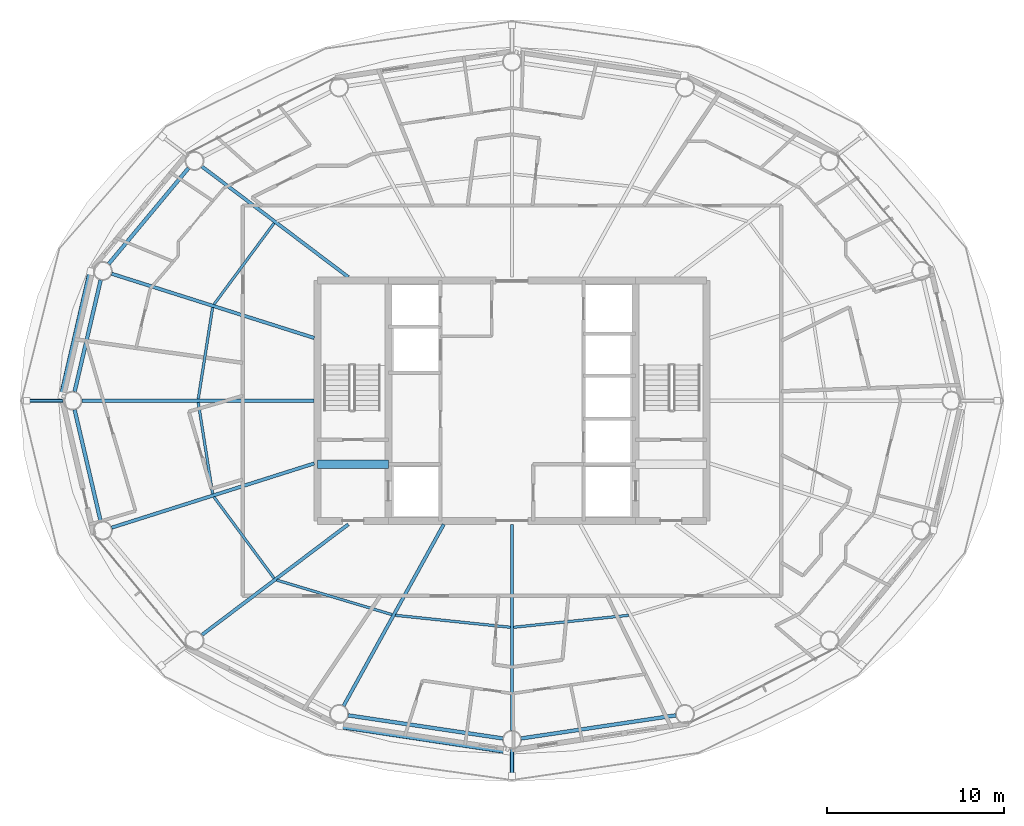
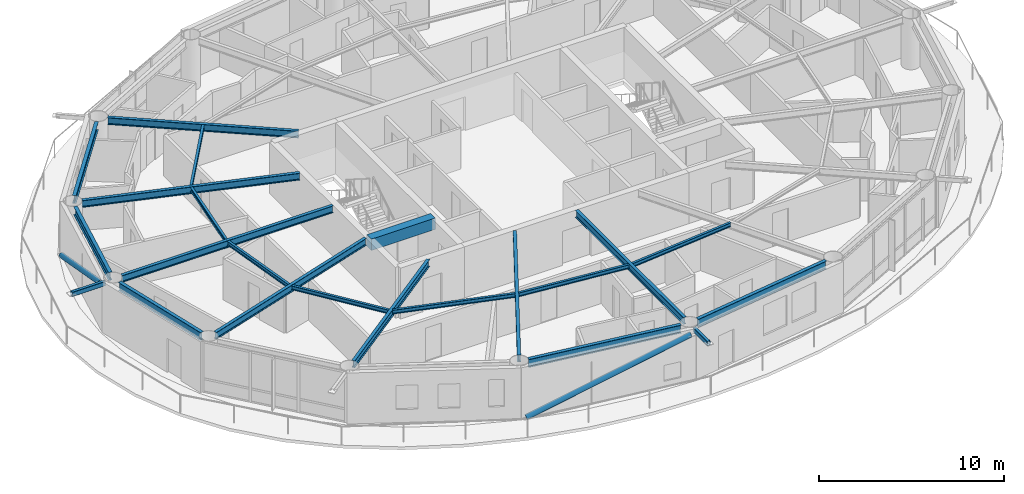
# One storey, part 4 of 23: 20 beams, 4 members.
"""IFC4 building model written with IfcOpenShell, lengths in metres."""

from ifc_helpers import new_model, si_unit, direction, frame, origin, origin_2d, place, context, subcontext, project, spatial, rectangle, hollow_rectangle, hollow_circle, i_section, extrude, material, material_profile, profile_set, type_object, element, save


model = new_model("IFC4")

# Units and contexts
model_context = context("Model", 3, precision=1e-05, world=origin(), true_north=direction((0.0, 1.0)))
body_context = subcontext(model_context, "Body", "Model", "MODEL_VIEW")
ifc_project = project(units=[si_unit("LENGTHUNIT", "METRE"), si_unit("AREAUNIT", "SQUARE_METRE"), si_unit("VOLUMEUNIT", "CUBIC_METRE"), si_unit("PLANEANGLEUNIT", "RADIAN"), si_unit("MASSUNIT", "GRAM", prefix="KILO")], contexts=[model_context])

# Site, building, storey
site_placement = place(None, origin())
site = spatial("IfcSite", under=ifc_project, at=site_placement, CompositionType="ELEMENT")
building_placement = place(site_placement, origin())
building = spatial("IfcBuilding", under=site, at=building_placement, Name="Sarneth Arch Tower", CompositionType="ELEMENT")
storey_placement = place(building_placement, frame((0.0, 0.0, 235.199951171875)))
storey = spatial("IfcBuildingStorey", under=building, at=storey_placement, Name="L60", CompositionType="ELEMENT", Elevation=235.199951171875)

# Beams
ifc_material_1 = material(Name="Steel S355", Category="steel")
ifc_material_profile_1 = material_profile(ifc_material_1, i_section(OverallWidth=0.14794921875, OverallDepth=0.26611328125, WebThickness=0.007568359375, FlangeThickness=0.012939453125, FilletRadius=0.012939453125, at=origin_2d()), Name="W250x44.8")
ifc_profile_set_1 = profile_set([ifc_material_profile_1], Name="Steel S355")
beam_type_1 = type_object("IfcBeamType", Name="BM-JOIST-250", PredefinedType="JOIST", material=ifc_profile_set_1)
beam_1_placement = place(storey_placement, frame((34.53076171875, 52.052734375, 3.22705078125), z_axis=(-0.594853468946, -0.803834156081, 0.0), x_axis=(0.803834156081, -0.594853468946, 0.0)))
element("IfcBeam", 1, at=beam_1_placement, inside=storey, type_object=beam_type_1, Name="L60 Secondary floor joist 07", PredefinedType="JOIST", context=body_context, shape_type="SweptSolid", body=[
    extrude(i_section(OverallWidth=0.14794921875, OverallDepth=0.26611328125, WebThickness=0.007568359375, FlangeThickness=0.012939453125, FilletRadius=0.012939453125, at=origin_2d()), origin(), (0.0, 0.0, 1.0), 5.72900390625),
])
for number, where, z_axis, x_axis, name in (
    (2, (31.05078125, 47.275390625, 3.22705078125), (-0.155393595615, -0.987852635995, 0.0), (0.987852635995, -0.155393595615, 0.0), "L60 Secondary floor joist 08"),
    (3, (30.23583984375, 41.9052734375, 3.22705078125), (0.155393595615, -0.987852635995, 0.0), (0.987852635995, 0.155393595615, 0.0), "L60 Secondary floor joist 09"),
):
    element("IfcBeam", number, at=place(storey_placement, frame(where, z_axis=z_axis, x_axis=x_axis)), inside=storey, type_object=beam_type_1, Name=name, PredefinedType="JOIST", context=body_context, shape_type="SweptSolid", body=[
        extrude(i_section(OverallWidth=0.14794921875, OverallDepth=0.26611328125, WebThickness=0.007568359375, FlangeThickness=0.012939453125, FilletRadius=0.012939453125, at=origin_2d()), origin(), (0.0, 0.0, 1.0), 5.244384765625),
    ])
beam_2_placement = place(storey_placement, frame((31.122802734375, 36.552490234375, 3.22705078125), z_axis=(0.594853468946, -0.803834156081, 0.0), x_axis=(0.803834156081, 0.594853468946, 0.0)))
element("IfcBeam", 4, at=beam_2_placement, inside=storey, type_object=beam_type_1, Name="L60 Secondary floor joist 10", PredefinedType="JOIST", context=body_context, shape_type="SweptSolid", body=[
    extrude(i_section(OverallWidth=0.14794921875, OverallDepth=0.26611328125, WebThickness=0.007568359375, FlangeThickness=0.012939453125, FilletRadius=0.012939453125, at=origin_2d()), origin(), (0.0, 0.0, 1.0), 5.72900390625),
])
beam_3_placement = place(storey_placement, frame((34.679931640625, 31.842529296875, 3.22705078125), z_axis=(0.957984908347, -0.286818610589, 0.0), x_axis=(0.286818610589, 0.957984908347, 0.0)))
element("IfcBeam", 5, at=beam_3_placement, inside=storey, type_object=beam_type_1, Name="L60 Secondary floor joist 11", PredefinedType="JOIST", context=body_context, shape_type="SweptSolid", body=[
    extrude(i_section(OverallWidth=0.14794921875, OverallDepth=0.26611328125, WebThickness=0.007568359375, FlangeThickness=0.012939453125, FilletRadius=0.012939453125, at=origin_2d()), origin(), (0.0, 0.0, 1.0), 6.81396484375),
])
for number, where, z_axis, x_axis, name in (
    (6, (41.39501953125, 29.8505859375, 3.22705078125), (0.994616086198, -0.103628379682, 0.0), (0.103628379682, 0.994616086198, 0.0), "L60 Secondary floor joist 12"),
    (7, (48.095458984375, 29.17236328125, 3.22705078125), (0.994616086198, 0.103628379682, 0.0), (-0.103628379682, 0.994616086198, 0.0), "L60 Secondary floor joist 13"),
):
    element("IfcBeam", number, at=place(storey_placement, frame(where, z_axis=z_axis, x_axis=x_axis)), inside=storey, type_object=beam_type_1, Name=name, PredefinedType="JOIST", context=body_context, shape_type="SweptSolid", body=[
        extrude(i_section(OverallWidth=0.14794921875, OverallDepth=0.26611328125, WebThickness=0.007568359375, FlangeThickness=0.012939453125, FilletRadius=0.012939453125, at=origin_2d()), origin(), (0.0, 0.0, 1.0), 6.544677734375),
    ])
ifc_material_2 = material(Name="Concrete C50/60", Category="concrete")
ifc_material_profile_2 = material_profile(ifc_material_2, rectangle(XDim=0.5, YDim=0.75, at=origin_2d()), Name="RC-500x750")
ifc_profile_set_2 = profile_set([ifc_material_profile_2], Name="Concrete C50/60")
beam_type_2 = type_object("IfcBeamType", Name="BM-LINTEL-RC", PredefinedType="LINTEL", material=ifc_profile_set_2)
beam_4_placement = place(storey_placement, frame((37.0, 38.39990234375, 2.985107421875), z_axis=(1.0, 0.0, 0.0), x_axis=(0.0, 1.0, 0.0)))
element("IfcBeam", 8, at=beam_4_placement, inside=storey, type_object=beam_type_2, Name="L60 Core coupling lintel W", PredefinedType="LINTEL", context=body_context, shape_type="SweptSolid", body=[
    extrude(rectangle(XDim=0.5, YDim=0.75, at=origin_2d()), origin(), (0.0, 0.0, 1.0), 4.0),
])
ifc_material_3 = material(Name="Steel S355", Category="steel")
ifc_material_profile_3 = material_profile(ifc_material_3, i_section(OverallWidth=0.19189453125, OverallDepth=0.462890625, WebThickness=0.010498046875, FlangeThickness=0.017578125, FilletRadius=0.01806640625, at=origin_2d()), Name="W460x89")
ifc_profile_set_3 = profile_set([ifc_material_profile_3], Name="Steel S355")
beam_type_3 = type_object("IfcBeamType", Name="BM-RAD-460B", PredefinedType="BEAM", material=ifc_profile_set_3)
beam_5_placement = place(storey_placement, frame((38.73193359375, 49.0, 3.128662109375), z_axis=(-0.79797308069, 0.60269309146, 0.0), x_axis=(-0.60269309146, -0.79797308069, 0.0)))
element("IfcBeam", 9, at=beam_5_placement, inside=storey, type_object=beam_type_3, Name="L60 Radial floor girder 07", PredefinedType="BEAM", context=body_context, shape_type="SweptSolid", body=[
    extrude(i_section(OverallWidth=0.19189453125, OverallDepth=0.462890625, WebThickness=0.010498046875, FlangeThickness=0.017578125, FilletRadius=0.01806640625, at=origin_2d()), origin(), (0.0, 0.0, 1.0), 10.38671875),
])
beam_6_placement = place(storey_placement, frame((36.800048828125, 45.5517578125, 3.128662109375), z_axis=(-0.953216092177, 0.302289731243, 0.0), x_axis=(-0.302289731243, -0.953216092177, 0.0)))
element("IfcBeam", 10, at=beam_6_placement, inside=storey, type_object=beam_type_3, Name="L60 Radial floor girder 08", PredefinedType="BEAM", context=body_context, shape_type="SweptSolid", body=[
    extrude(i_section(OverallWidth=0.19189453125, OverallDepth=0.462890625, WebThickness=0.010498046875, FlangeThickness=0.017578125, FilletRadius=0.01806640625, at=origin_2d()), origin(), (0.0, 0.0, 1.0), 12.031494140625),
])
beam_7_placement = place(storey_placement, frame((36.800048828125, 42.0, 3.128662109375), z_axis=(-1.0, 0.0, 0.0), x_axis=(0.0, -1.0, 0.0)))
element("IfcBeam", 11, at=beam_7_placement, inside=storey, type_object=beam_type_3, Name="L60 Radial floor girder 09", PredefinedType="BEAM", context=body_context, shape_type="SweptSolid", body=[
    extrude(i_section(OverallWidth=0.19189453125, OverallDepth=0.462890625, WebThickness=0.010498046875, FlangeThickness=0.017578125, FilletRadius=0.01806640625, at=origin_2d()), origin(), (0.0, 0.0, 1.0), 13.158203125),
])
beam_8_placement = place(storey_placement, frame((36.800048828125, 38.4482421875, 3.128662109375), z_axis=(-0.953216092177, -0.302289731243, 0.0), x_axis=(0.302289731243, -0.953216092177, 0.0)))
element("IfcBeam", 12, at=beam_8_placement, inside=storey, type_object=beam_type_3, Name="L60 Radial floor girder 10", PredefinedType="BEAM", context=body_context, shape_type="SweptSolid", body=[
    extrude(i_section(OverallWidth=0.19189453125, OverallDepth=0.462890625, WebThickness=0.010498046875, FlangeThickness=0.017578125, FilletRadius=0.01806640625, at=origin_2d()), origin(), (0.0, 0.0, 1.0), 12.031494140625),
])
beam_9_placement = place(storey_placement, frame((38.73193359375, 35.0, 3.128662109375), z_axis=(-0.79797308069, -0.60269309146, 0.0), x_axis=(0.60269309146, -0.79797308069, 0.0)))
element("IfcBeam", 13, at=beam_9_placement, inside=storey, type_object=beam_type_3, Name="L60 Radial floor girder 11", PredefinedType="BEAM", context=body_context, shape_type="SweptSolid", body=[
    extrude(i_section(OverallWidth=0.19189453125, OverallDepth=0.462890625, WebThickness=0.010498046875, FlangeThickness=0.017578125, FilletRadius=0.01806640625, at=origin_2d()), origin(), (0.0, 0.0, 1.0), 10.38671875),
])
beam_10_placement = place(storey_placement, frame((44.13623046875, 35.0, 3.128662109375), z_axis=(-0.483225760768, -0.875495781903, 0.0), x_axis=(0.875495781903, -0.483225760768, 0.0)))
element("IfcBeam", 14, at=beam_10_placement, inside=storey, type_object=beam_type_3, Name="L60 Radial floor girder 12", PredefinedType="BEAM", context=body_context, shape_type="SweptSolid", body=[
    extrude(i_section(OverallWidth=0.19189453125, OverallDepth=0.462890625, WebThickness=0.010498046875, FlangeThickness=0.017578125, FilletRadius=0.01806640625, at=origin_2d()), origin(), (0.0, 0.0, 1.0), 11.740478515625),
])
beam_11_placement = place(storey_placement, frame((48.0, 35.0, 3.128662109375), z_axis=(0.0, -1.0, 0.0), x_axis=(1.0, 0.0, 0.0)))
element("IfcBeam", 15, at=beam_11_placement, inside=storey, type_object=beam_type_3, Name="L60 Radial floor girder 13", PredefinedType="BEAM", context=body_context, shape_type="SweptSolid", body=[
    extrude(i_section(OverallWidth=0.19189453125, OverallDepth=0.462890625, WebThickness=0.010498046875, FlangeThickness=0.017578125, FilletRadius=0.01806640625, at=origin_2d()), origin(), (0.0, 0.0, 1.0), 11.675048828125),
])
ifc_material_4 = material(Name="Steel S355", Category="steel")
ifc_material_profile_4 = material_profile(ifc_material_4, i_section(OverallWidth=0.2109375, OverallDepth=0.5390625, WebThickness=0.01171875, FlangeThickness=0.018798828125, FilletRadius=0.01806640625, at=origin_2d()), Name="W530x109")
ifc_profile_set_4 = profile_set([ifc_material_profile_4], Name="Steel S355")
beam_type_4 = type_object("IfcBeamType", Name="BM-RAD-530B", PredefinedType="BEAM", material=ifc_profile_set_4)
beam_12_placement = place(storey_placement, frame((29.6884765625, 55.17333984375, 3.090576171875), z_axis=(-0.640364654985, -0.76807103099, 0.0), x_axis=(0.76807103099, -0.640364654985, 0.0)))
element("IfcBeam", 16, at=beam_12_placement, inside=storey, type_object=beam_type_4, Name="L60 Perimeter spandrel beam 07", PredefinedType="BEAM", context=body_context, shape_type="SweptSolid", body=[
    extrude(i_section(OverallWidth=0.2109375, OverallDepth=0.5390625, WebThickness=0.01171875, FlangeThickness=0.018798828125, FilletRadius=0.01806640625, at=origin_2d()), origin(), (0.0, 0.0, 1.0), 7.06005859375),
])
for number, where, z_axis, x_axis, name in (
    (17, (24.7119140625, 48.836181640625, 3.090576171875), (-0.227230803906, -0.973840932471, 0.0), (0.973840932471, -0.227230803906, 0.0), "L60 Perimeter spandrel beam 08"),
    (18, (23.236083984375, 41.48876953125, 3.090576171875), (0.227230803906, -0.973840932471, 0.0), (0.973840932471, 0.227230803906, 0.0), "L60 Perimeter spandrel beam 09"),
):
    element("IfcBeam", number, at=place(storey_placement, frame(where, z_axis=z_axis, x_axis=x_axis)), inside=storey, type_object=beam_type_4, Name=name, PredefinedType="BEAM", context=body_context, shape_type="SweptSolid", body=[
        extrude(i_section(OverallWidth=0.2109375, OverallDepth=0.5390625, WebThickness=0.01171875, FlangeThickness=0.018798828125, FilletRadius=0.01806640625, at=origin_2d()), origin(), (0.0, 0.0, 1.0), 6.494873046875),
    ])
for number, where, z_axis, x_axis, name in (
    (19, (38.728515625, 24.18408203125, 3.090576171875), (0.989038715098, -0.147656425652, 0.0), (0.147656425652, 0.989038715098, 0.0), "L60 Perimeter spandrel beam 12"),
    (20, (48.519287109375, 22.87744140625, 3.090576171875), (0.989038715098, 0.147656425652, 0.0), (-0.147656425652, 0.989038715098, 0.0), "L60 Perimeter spandrel beam 13"),
):
    element("IfcBeam", number, at=place(storey_placement, frame(where, z_axis=z_axis, x_axis=x_axis)), inside=storey, type_object=beam_type_4, Name=name, PredefinedType="BEAM", context=body_context, shape_type="SweptSolid", body=[
        extrude(i_section(OverallWidth=0.2109375, OverallDepth=0.5390625, WebThickness=0.01171875, FlangeThickness=0.018798828125, FilletRadius=0.01806640625, at=origin_2d()), origin(), (0.0, 0.0, 1.0), 8.84912109375),
    ])

# Members
ifc_material_5 = material(Name="Steel S355", Category="steel")
ifc_material_profile_5 = material_profile(ifc_material_5, hollow_rectangle(XDim=0.199951171875, YDim=0.300048828125, WallThickness=0.012451171875, InnerFilletRadius=0.018798828125, OuterFilletRadius=0.03125, at=origin_2d()), Name="RHS300x200x12.5")
ifc_profile_set_5 = profile_set([ifc_material_profile_5], Name="Steel S355")
member_type_1 = type_object("IfcMemberType", Name="MEM-CANT-STRUT", PredefinedType="STRUT", material=ifc_profile_set_5)
member_1_placement = place(storey_placement, frame((22.591796875, 42.0, 3.199951171875), z_axis=(-1.0, 0.0, 0.0), x_axis=(0.0, -1.0, 0.0)))
element("IfcMember", 21, at=member_1_placement, inside=storey, type_object=member_type_1, Name="L60 Balcony cantilever bracket 09", PredefinedType="STRUT", context=body_context, shape_type="SweptSolid", body=[
    extrude(hollow_rectangle(XDim=0.199951171875, YDim=0.300048828125, WallThickness=0.012451171875, InnerFilletRadius=0.018798828125, OuterFilletRadius=0.03125, at=origin_2d()), origin(), (0.0, 0.0, 1.0), 2.072265625),
])
member_2_placement = place(storey_placement, frame((48.0, 22.27490234375, 3.199951171875), z_axis=(0.0, -1.0, 0.0), x_axis=(1.0, 0.0, 0.0)))
element("IfcMember", 22, at=member_2_placement, inside=storey, type_object=member_type_1, Name="L60 Balcony cantilever bracket 13", PredefinedType="STRUT", context=body_context, shape_type="SweptSolid", body=[
    extrude(hollow_rectangle(XDim=0.199951171875, YDim=0.300048828125, WallThickness=0.012451171875, InnerFilletRadius=0.018798828125, OuterFilletRadius=0.03125, at=origin_2d()), origin(), (0.0, 0.0, 1.0), 1.527587890625),
])
ifc_material_6 = material(Name="Steel S355", Category="steel")
ifc_material_profile_6 = material_profile(ifc_material_6, hollow_circle(Radius=0.162109375, WallThickness=0.012451171875, at=origin_2d()), Name="CHS324x12.5")
ifc_profile_set_6 = profile_set([ifc_material_profile_6], Name="Steel S355")
member_type_2 = type_object("IfcMemberType", Name="MEM-DIAG-BR3", PredefinedType="BRACE", material=ifc_profile_set_6)
member_3_placement = place(storey_placement, frame((24.148193359375, 49.3154296875, 0.02001953125), z_axis=(-0.207917989892, -0.898749333617, 0.386030756289), x_axis=(0.974268900284, -0.225388797281, 0.0)))
element("IfcMember", 23, at=member_3_placement, inside=storey, type_object=member_type_2, Name="L60 Perimeter frame diagonal 08", PredefinedType="BRACE", context=body_context, shape_type="SweptSolid", body=[
    extrude(hollow_circle(Radius=0.162109375, WallThickness=0.012451171875, at=origin_2d()), origin(), (0.0, 0.0, 1.0), 7.814453125),
])
member_4_placement = place(storey_placement, frame((38.245849609375, 23.588623046875, 0.02001953125), z_axis=(0.943056107878, -0.142001297879, 0.300800280576), x_axis=(0.148897148305, 0.988852688335, 0.0)))
element("IfcMember", 24, at=member_4_placement, inside=storey, type_object=member_type_2, Name="L60 Perimeter frame diagonal 12", PredefinedType="BRACE", context=body_context, shape_type="SweptSolid", body=[
    extrude(hollow_circle(Radius=0.162109375, WallThickness=0.012451171875, at=origin_2d()), origin(), (0.0, 0.0, 1.0), 10.028564453125),
])

save(model, "model.ifc")
